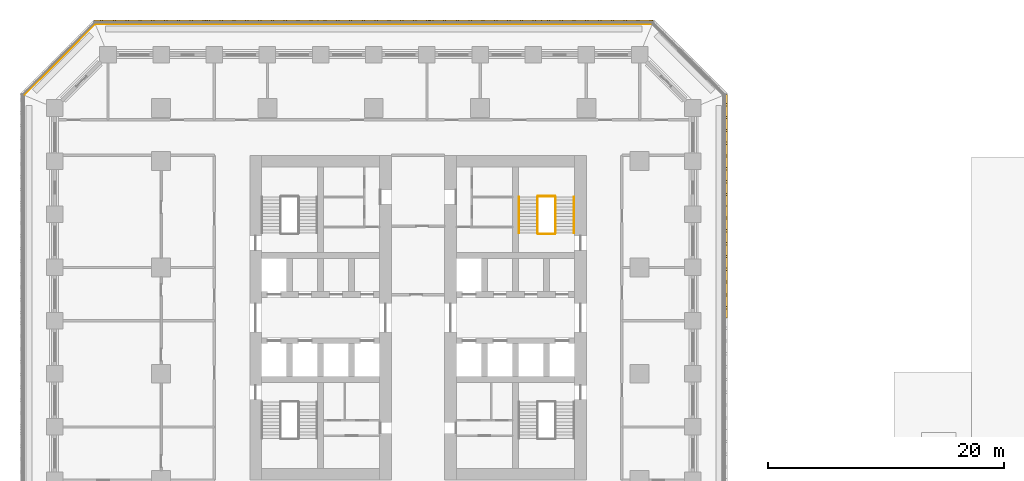
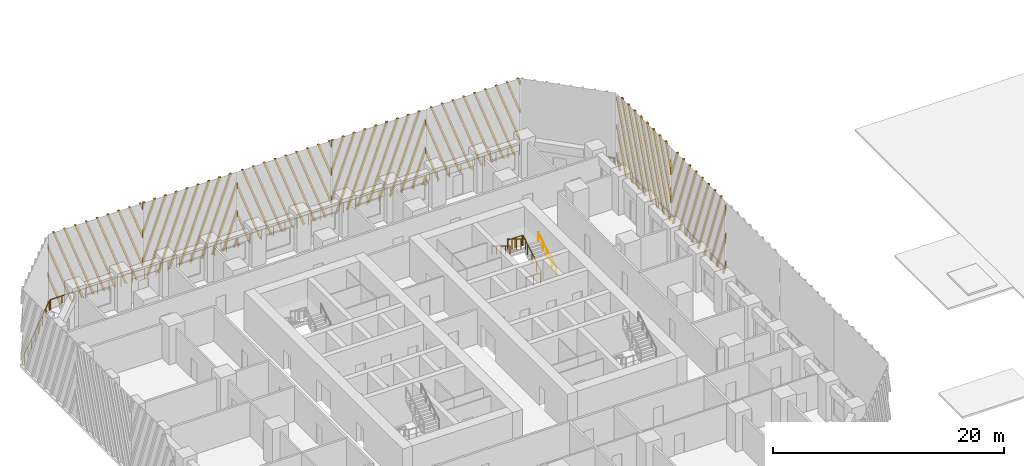
# One storey, part 13 of 15: 8 railings, 7 shading devices.
"""IFC4 building model written with IfcOpenShell, lengths in metres."""

from ifc_helpers import new_model, si_unit, direction, frame, origin, origin_2d, place, context, subcontext, project, spatial, polyline, circle, outline, extrude, source, transform, mapped, material, type_object, element, save


model = new_model("IFC4")

# Units and contexts
model_context = context("Model", 3, precision=1e-05, world=origin(), true_north=direction((0.0, 1.0)))
body_context = subcontext(model_context, "Body", "Model", "MODEL_VIEW")
ifc_project = project(units=[si_unit("LENGTHUNIT", "METRE"), si_unit("AREAUNIT", "SQUARE_METRE"), si_unit("VOLUMEUNIT", "CUBIC_METRE"), si_unit("PLANEANGLEUNIT", "RADIAN"), si_unit("MASSUNIT", "GRAM", prefix="KILO")], contexts=[model_context])

# Site, building, storey
site_placement = place(None, origin())
site = spatial("IfcSite", under=ifc_project, at=site_placement, CompositionType="ELEMENT")
building_placement = place(site_placement, origin())
building = spatial("IfcBuilding", under=site, at=building_placement, Name="Corbel Stack Research Tower", CompositionType="ELEMENT")
storey_placement = place(building_placement, frame((0.0, 0.0, 23.60009765625)))
storey = spatial("IfcBuildingStorey", under=building, at=storey_placement, Name="L05", CompositionType="ELEMENT", Elevation=23.60009765625)

# Railings
ifc_material_1 = material(Name="Steel S355", Category="steel")
railing_type_1 = type_object("IfcRailingType", Name="Stair guard 1100", PredefinedType="GUARDRAIL", material=ifc_material_1)
railing_1_placement = place(storey_placement, frame((15.39990234375, 11.89990234375, 0.170654296875)))
element("IfcRailing", 1, at=railing_1_placement, inside=storey, type_object=railing_type_1, Name="L05 ST-E2 stair guard 1", PredefinedType="GUARDRAIL", context=body_context, shape_type="SweptSolid", body=[
    extrude(circle(Radius=0.02392578125, at=origin_2d()), frame((0.0, 0.0, 1.076171875), z_axis=(0.0, 0.853666305674, 0.52082035152), x_axis=(-1.0, 0.0, 0.0)), (0.0, 0.0, 1.0), 3.608154296875),
    extrude(circle(Radius=0.02099609375, at=origin_2d()), origin(), (0.0, 0.0, 1.0), 1.052001953125),
    extrude(circle(Radius=0.02099609375, at=origin_2d()), frame((0.0, 0.77001953125, 0.4697265625)), (0.0, 0.0, 1.0), 1.052001953125),
    extrude(circle(Radius=0.02099609375, at=origin_2d()), frame((0.0, 1.5400390625, 0.939453125)), (0.0, 0.0, 1.0), 1.052001953125),
    extrude(circle(Radius=0.02099609375, at=origin_2d()), frame((0.0, 2.31005859375, 1.409423828125)), (0.0, 0.0, 1.0), 1.052001953125),
    extrude(circle(Radius=0.02099609375, at=origin_2d()), frame((0.0, 3.080078125, 1.879150390625)), (0.0, 0.0, 1.0), 1.052001953125),
])
railing_2_placement = place(storey_placement, frame((15.35009765625, 15.030029296875, 2.0498046875)))
element("IfcRailing", 2, at=railing_2_placement, inside=storey, type_object=railing_type_1, Name="L05 ST-E2 stair guard 2", PredefinedType="GUARDRAIL", context=body_context, shape_type="SweptSolid", body=[
    extrude(circle(Radius=0.02392578125, at=origin_2d()), frame((0.0, 0.0, 1.076171875), z_axis=(-1.0, 0.0, 0.0), x_axis=(0.0, -1.0, 0.0)), (0.0, 0.0, 1.0), 1.4501953125),
    extrude(circle(Radius=0.02099609375, at=origin_2d()), origin(), (0.0, 0.0, 1.0), 1.052001953125),
    extrude(circle(Radius=0.02099609375, at=origin_2d()), frame((-0.72509765625, 0.0, 0.0)), (0.0, 0.0, 1.0), 1.052001953125),
    extrude(circle(Radius=0.02099609375, at=origin_2d()), frame((-1.4501953125, 0.0, 0.0)), (0.0, 0.0, 1.0), 1.052001953125),
])
railing_3_placement = place(storey_placement, frame((13.85009765625, 14.97998046875, 2.220703125)))
element("IfcRailing", 3, at=railing_3_placement, inside=storey, type_object=railing_type_1, Name="L05 ST-E2 stair guard 3", PredefinedType="GUARDRAIL", context=body_context, shape_type="SweptSolid", body=[
    extrude(circle(Radius=0.02392578125, at=origin_2d()), frame((0.0, 0.0, 1.076171875), z_axis=(0.0, -0.853666305674, 0.52082035152), x_axis=(1.0, 0.0, 0.0)), (0.0, 0.0, 1.0), 3.608154296875),
    extrude(circle(Radius=0.02099609375, at=origin_2d()), origin(), (0.0, 0.0, 1.0), 1.052001953125),
    extrude(circle(Radius=0.02099609375, at=origin_2d()), frame((0.0, -0.77001953125, 0.4697265625)), (0.0, 0.0, 1.0), 1.052001953125),
    extrude(circle(Radius=0.02099609375, at=origin_2d()), frame((0.0, -1.5400390625, 0.939453125)), (0.0, 0.0, 1.0), 1.052001953125),
    extrude(circle(Radius=0.02099609375, at=origin_2d()), frame((0.0, -2.31005859375, 1.409423828125)), (0.0, 0.0, 1.0), 1.052001953125),
    extrude(circle(Radius=0.02099609375, at=origin_2d()), frame((0.0, -3.080078125, 1.879150390625)), (0.0, 0.0, 1.0), 1.052001953125),
])
railing_4_placement = place(storey_placement, frame((15.35009765625, 11.85009765625, 0.0)))
element("IfcRailing", 4, at=railing_4_placement, inside=storey, type_object=railing_type_1, Name="L05 ST-E2 stair guard 4", PredefinedType="GUARDRAIL", context=body_context, shape_type="SweptSolid", body=[
    extrude(circle(Radius=0.02392578125, at=origin_2d()), frame((0.0, 0.0, 1.076171875), z_axis=(-1.0, 0.0, 0.0), x_axis=(0.0, -1.0, 0.0)), (0.0, 0.0, 1.0), 1.4501953125),
    extrude(circle(Radius=0.02099609375, at=origin_2d()), origin(), (0.0, 0.0, 1.0), 1.052001953125),
    extrude(circle(Radius=0.02099609375, at=origin_2d()), frame((-0.72509765625, 0.0, 0.0)), (0.0, 0.0, 1.0), 1.052001953125),
    extrude(circle(Radius=0.02099609375, at=origin_2d()), frame((-1.4501953125, 0.0, 0.0)), (0.0, 0.0, 1.0), 1.052001953125),
])
ifc_material_2 = material(Name="Steel S355", Category="steel")
railing_type_2 = type_object("IfcRailingType", Name="Stair handrail 900", PredefinedType="HANDRAIL", material=ifc_material_2)
railing_5_placement = place(storey_placement, frame((16.949951171875, 11.89990234375, 0.170654296875)))
element("IfcRailing", 5, at=railing_5_placement, inside=storey, type_object=railing_type_2, Name="L05 ST-E2 stair handrail 1", PredefinedType="HANDRAIL", context=body_context, shape_type="SweptSolid", body=[
    extrude(circle(Radius=0.02392578125, at=origin_2d()), frame((0.0, 0.0, 0.8759765625), z_axis=(0.0, 0.853666305674, 0.52082035152), x_axis=(-1.0, 0.0, 0.0)), (0.0, 0.0, 1.0), 3.608154296875),
    extrude(circle(Radius=0.02099609375, at=origin_2d()), origin(), (0.0, 0.0, 1.0), 0.851806640625),
    extrude(circle(Radius=0.02099609375, at=origin_2d()), frame((0.0, 0.77001953125, 0.4697265625)), (0.0, 0.0, 1.0), 0.851806640625),
    extrude(circle(Radius=0.02099609375, at=origin_2d()), frame((0.0, 1.5400390625, 0.939453125)), (0.0, 0.0, 1.0), 0.851806640625),
    extrude(circle(Radius=0.02099609375, at=origin_2d()), frame((0.0, 2.31005859375, 1.409423828125)), (0.0, 0.0, 1.0), 0.851806640625),
    extrude(circle(Radius=0.02099609375, at=origin_2d()), frame((0.0, 3.080078125, 1.879150390625)), (0.0, 0.0, 1.0), 0.851806640625),
])
railing_6_placement = place(storey_placement, frame((12.300048828125, 14.97998046875, 2.220703125)))
element("IfcRailing", 6, at=railing_6_placement, inside=storey, type_object=railing_type_2, Name="L05 ST-E2 stair handrail 2", PredefinedType="HANDRAIL", context=body_context, shape_type="SweptSolid", body=[
    extrude(circle(Radius=0.02392578125, at=origin_2d()), frame((0.0, 0.0, 0.8759765625), z_axis=(0.0, -0.853666305674, 0.52082035152), x_axis=(1.0, 0.0, 0.0)), (0.0, 0.0, 1.0), 3.608154296875),
    extrude(circle(Radius=0.02099609375, at=origin_2d()), origin(), (0.0, 0.0, 1.0), 0.851806640625),
    extrude(circle(Radius=0.02099609375, at=origin_2d()), frame((0.0, -0.77001953125, 0.4697265625)), (0.0, 0.0, 1.0), 0.851806640625),
    extrude(circle(Radius=0.02099609375, at=origin_2d()), frame((0.0, -1.5400390625, 0.939453125)), (0.0, 0.0, 1.0), 0.851806640625),
    extrude(circle(Radius=0.02099609375, at=origin_2d()), frame((0.0, -2.31005859375, 1.409423828125)), (0.0, 0.0, 1.0), 0.851806640625),
    extrude(circle(Radius=0.02099609375, at=origin_2d()), frame((0.0, -3.080078125, 1.879150390625)), (0.0, 0.0, 1.0), 0.851806640625),
])
ifc_material_3 = material(Name="Powder-coated steel guard", Category="steel")
railing_type_3 = type_object("IfcRailingType", Name="Steel and glass guard 1100", PredefinedType="GUARDRAIL", material=ifc_material_3)
railing_7_placement = place(storey_placement, frame((23.50537109375, 29.60009765625, 0.0)))
element("IfcRailing", 7, at=railing_7_placement, inside=storey, type_object=railing_type_3, Name="Loggia guard L05 N", PredefinedType="GUARDRAIL", context=body_context, shape_type="SweptSolid", body=[
    extrude(circle(Radius=0.02392578125, at=origin_2d()), frame((0.0, 0.0, 1.076171875), z_axis=(-1.0, 0.0, 0.0), x_axis=(0.0, -1.0, 0.0)), (0.0, 0.0, 1.0), 47.0107421875),
    extrude(circle(Radius=0.02099609375, at=origin_2d()), origin(), (0.0, 0.0, 1.0), 1.052001953125),
    extrude(circle(Radius=0.02099609375, at=origin_2d()), frame((-1.17529296875, 0.0, 0.0)), (0.0, 0.0, 1.0), 1.052001953125),
    extrude(circle(Radius=0.02099609375, at=origin_2d()), frame((-2.3505859375, 0.0, 0.0)), (0.0, 0.0, 1.0), 1.052001953125),
    extrude(circle(Radius=0.02099609375, at=origin_2d()), frame((-3.52587890625, 0.0, 0.0)), (0.0, 0.0, 1.0), 1.052001953125),
    extrude(circle(Radius=0.02099609375, at=origin_2d()), frame((-4.701171875, 0.0, 0.0)), (0.0, 0.0, 1.0), 1.052001953125),
    extrude(circle(Radius=0.02099609375, at=origin_2d()), frame((-5.87646484375, 0.0, 0.0)), (0.0, 0.0, 1.0), 1.052001953125),
    extrude(circle(Radius=0.02099609375, at=origin_2d()), frame((-7.051513671875, 0.0, 0.0)), (0.0, 0.0, 1.0), 1.052001953125),
    extrude(circle(Radius=0.02099609375, at=origin_2d()), frame((-8.226806640625, 0.0, 0.0)), (0.0, 0.0, 1.0), 1.052001953125),
    extrude(circle(Radius=0.02099609375, at=origin_2d()), frame((-9.402099609375, 0.0, 0.0)), (0.0, 0.0, 1.0), 1.052001953125),
    extrude(circle(Radius=0.02099609375, at=origin_2d()), frame((-10.577392578125, 0.0, 0.0)), (0.0, 0.0, 1.0), 1.052001953125),
    extrude(circle(Radius=0.02099609375, at=origin_2d()), frame((-11.752685546875, 0.0, 0.0)), (0.0, 0.0, 1.0), 1.052001953125),
    extrude(circle(Radius=0.02099609375, at=origin_2d()), frame((-12.927978515625, 0.0, 0.0)), (0.0, 0.0, 1.0), 1.052001953125),
    extrude(circle(Radius=0.02099609375, at=origin_2d()), frame((-14.103271484375, 0.0, 0.0)), (0.0, 0.0, 1.0), 1.052001953125),
    extrude(circle(Radius=0.02099609375, at=origin_2d()), frame((-15.278564453125, 0.0, 0.0)), (0.0, 0.0, 1.0), 1.052001953125),
    extrude(circle(Radius=0.02099609375, at=origin_2d()), frame((-16.453857421875, 0.0, 0.0)), (0.0, 0.0, 1.0), 1.052001953125),
    extrude(circle(Radius=0.02099609375, at=origin_2d()), frame((-17.62890625, 0.0, 0.0)), (0.0, 0.0, 1.0), 1.052001953125),
    extrude(circle(Radius=0.02099609375, at=origin_2d()), frame((-18.80419921875, 0.0, 0.0)), (0.0, 0.0, 1.0), 1.052001953125),
    extrude(circle(Radius=0.02099609375, at=origin_2d()), frame((-19.9794921875, 0.0, 0.0)), (0.0, 0.0, 1.0), 1.052001953125),
    extrude(circle(Radius=0.02099609375, at=origin_2d()), frame((-21.15478515625, 0.0, 0.0)), (0.0, 0.0, 1.0), 1.052001953125),
    extrude(circle(Radius=0.02099609375, at=origin_2d()), frame((-22.330078125, 0.0, 0.0)), (0.0, 0.0, 1.0), 1.052001953125),
    extrude(circle(Radius=0.02099609375, at=origin_2d()), frame((-23.50537109375, 0.0, 0.0)), (0.0, 0.0, 1.0), 1.052001953125),
    extrude(circle(Radius=0.02099609375, at=origin_2d()), frame((-24.6806640625, 0.0, 0.0)), (0.0, 0.0, 1.0), 1.052001953125),
    extrude(circle(Radius=0.02099609375, at=origin_2d()), frame((-25.85595703125, 0.0, 0.0)), (0.0, 0.0, 1.0), 1.052001953125),
    extrude(circle(Radius=0.02099609375, at=origin_2d()), frame((-27.03125, 0.0, 0.0)), (0.0, 0.0, 1.0), 1.052001953125),
    extrude(circle(Radius=0.02099609375, at=origin_2d()), frame((-28.20654296875, 0.0, 0.0)), (0.0, 0.0, 1.0), 1.052001953125),
    extrude(circle(Radius=0.02099609375, at=origin_2d()), frame((-29.3818359375, 0.0, 0.0)), (0.0, 0.0, 1.0), 1.052001953125),
    extrude(circle(Radius=0.02099609375, at=origin_2d()), frame((-30.556884765625, 0.0, 0.0)), (0.0, 0.0, 1.0), 1.052001953125),
    extrude(circle(Radius=0.02099609375, at=origin_2d()), frame((-31.732177734375, 0.0, 0.0)), (0.0, 0.0, 1.0), 1.052001953125),
    extrude(circle(Radius=0.02099609375, at=origin_2d()), frame((-32.907470703125, 0.0, 0.0)), (0.0, 0.0, 1.0), 1.052001953125),
    extrude(circle(Radius=0.02099609375, at=origin_2d()), frame((-34.082763671875, 0.0, 0.0)), (0.0, 0.0, 1.0), 1.052001953125),
    extrude(circle(Radius=0.02099609375, at=origin_2d()), frame((-35.258056640625, 0.0, 0.0)), (0.0, 0.0, 1.0), 1.052001953125),
    extrude(circle(Radius=0.02099609375, at=origin_2d()), frame((-36.433349609375, 0.0, 0.0)), (0.0, 0.0, 1.0), 1.052001953125),
    extrude(circle(Radius=0.02099609375, at=origin_2d()), frame((-37.608642578125, 0.0, 0.0)), (0.0, 0.0, 1.0), 1.052001953125),
    extrude(circle(Radius=0.02099609375, at=origin_2d()), frame((-38.783935546875, 0.0, 0.0)), (0.0, 0.0, 1.0), 1.052001953125),
    extrude(circle(Radius=0.02099609375, at=origin_2d()), frame((-39.959228515625, 0.0, 0.0)), (0.0, 0.0, 1.0), 1.052001953125),
    extrude(circle(Radius=0.02099609375, at=origin_2d()), frame((-41.13427734375, 0.0, 0.0)), (0.0, 0.0, 1.0), 1.052001953125),
    extrude(circle(Radius=0.02099609375, at=origin_2d()), frame((-42.3095703125, 0.0, 0.0)), (0.0, 0.0, 1.0), 1.052001953125),
    extrude(circle(Radius=0.02099609375, at=origin_2d()), frame((-43.48486328125, 0.0, 0.0)), (0.0, 0.0, 1.0), 1.052001953125),
    extrude(circle(Radius=0.02099609375, at=origin_2d()), frame((-44.66015625, 0.0, 0.0)), (0.0, 0.0, 1.0), 1.052001953125),
    extrude(circle(Radius=0.02099609375, at=origin_2d()), frame((-45.83544921875, 0.0, 0.0)), (0.0, 0.0, 1.0), 1.052001953125),
    extrude(circle(Radius=0.02099609375, at=origin_2d()), frame((-47.0107421875, 0.0, 0.0)), (0.0, 0.0, 1.0), 1.052001953125),
])
railing_8_placement = place(storey_placement, frame((-23.627685546875, 29.54931640625, 0.0)))
element("IfcRailing", 8, at=railing_8_placement, inside=storey, type_object=railing_type_3, Name="Loggia guard L05 NW", PredefinedType="GUARDRAIL", context=body_context, shape_type="SweptSolid", body=[
    extrude(circle(Radius=0.02392578125, at=origin_2d()), frame((0.0, 0.0, 1.076171875), z_axis=(-0.707106781187, -0.707106781187, 0.0), x_axis=(0.707106781187, -0.707106781187, 0.0)), (0.0, 0.0, 1.0), 8.37451171875),
    extrude(circle(Radius=0.02099609375, at=origin_2d()), origin(), (0.0, 0.0, 1.0), 1.052001953125),
    extrude(circle(Radius=0.02099609375, at=origin_2d()), frame((-0.845947265625, -0.845947265625, 0.0)), (0.0, 0.0, 1.0), 1.052001953125),
    extrude(circle(Radius=0.02099609375, at=origin_2d()), frame((-1.69189453125, -1.69189453125, 0.0)), (0.0, 0.0, 1.0), 1.052001953125),
    extrude(circle(Radius=0.02099609375, at=origin_2d()), frame((-2.537841796875, -2.537841796875, 0.0)), (0.0, 0.0, 1.0), 1.052001953125),
    extrude(circle(Radius=0.02099609375, at=origin_2d()), frame((-3.3837890625, -3.3837890625, 0.0)), (0.0, 0.0, 1.0), 1.052001953125),
    extrude(circle(Radius=0.02099609375, at=origin_2d()), frame((-4.229736328125, -4.229736328125, 0.0)), (0.0, 0.0, 1.0), 1.052001953125),
    extrude(circle(Radius=0.02099609375, at=origin_2d()), frame((-5.07568359375, -5.07568359375, 0.0)), (0.0, 0.0, 1.0), 1.052001953125),
    extrude(circle(Radius=0.02099609375, at=origin_2d()), frame((-5.921630859375, -5.921630859375, 0.0)), (0.0, 0.0, 1.0), 1.052001953125),
])

# Shading devices
ifc_material_4 = material(Name="Precast terracotta", Category="masonry")
shading_device_type = type_object("IfcShadingDeviceType", Name="Terracotta screen panel", PredefinedType="USERDEFINED", material=ifc_material_4)
shared_shape_1 = source(origin(), body_context, "Body", "SweptSolid", [
    extrude(outline(polyline([(1.09033203125, 7.949951171875), (0.900390625, 7.949951171875), (0.0, 5.476318359375), (0.0, 4.9541015625), (1.09033203125, 7.949951171875)])), frame((0.0, 0.0, 0.0), z_axis=(0.0, -1.0, 0.0), x_axis=(1.0, 0.0, 0.0)), (0.0, 0.0, 1.0), 0.179931640625),
    extrude(outline(polyline([(2.175048828125, 7.949951171875), (1.985107421875, 7.949951171875), (0.0, 2.49609375), (0.0, 1.97412109375), (2.175048828125, 7.949951171875)])), frame((0.0, 0.0, 0.0), z_axis=(0.0, -1.0, 0.0), x_axis=(1.0, 0.0, 0.0)), (0.0, 0.0, 1.0), 0.179931640625),
    extrude(outline(polyline([(0.3662109375, 0.0), (3.259765625, 7.949951171875), (3.069580078125, 7.949951171875), (0.17626953125, 0.0), (0.3662109375, 0.0)])), frame((0.0, 0.0, 0.0), z_axis=(0.0, -1.0, 0.0), x_axis=(1.0, 0.0, 0.0)), (0.0, 0.0, 1.0), 0.179931640625),
    extrude(outline(polyline([(1.45068359375, 0.0), (4.344482421875, 7.949951171875), (4.154296875, 7.949951171875), (1.2607421875, 0.0), (1.45068359375, 0.0)])), frame((0.0, 0.0, 0.0), z_axis=(0.0, -1.0, 0.0), x_axis=(1.0, 0.0, 0.0)), (0.0, 0.0, 1.0), 0.179931640625),
    extrude(outline(polyline([(2.535400390625, 0.0), (5.42919921875, 7.949951171875), (5.239013671875, 7.949951171875), (2.345458984375, 0.0), (2.535400390625, 0.0)])), frame((0.0, 0.0, 0.0), z_axis=(0.0, -1.0, 0.0), x_axis=(1.0, 0.0, 0.0)), (0.0, 0.0, 1.0), 0.179931640625),
    extrude(outline(polyline([(3.6201171875, 0.0), (6.513671875, 7.949951171875), (6.32373046875, 7.949951171875), (3.43017578125, 0.0), (3.6201171875, 0.0)])), frame((0.0, 0.0, 0.0), z_axis=(0.0, -1.0, 0.0), x_axis=(1.0, 0.0, 0.0)), (0.0, 0.0, 1.0), 0.179931640625),
    extrude(outline(polyline([(4.704833984375, 0.0), (7.598388671875, 7.949951171875), (7.408447265625, 7.949951171875), (4.514892578125, 0.0), (4.704833984375, 0.0)])), frame((0.0, 0.0, 0.0), z_axis=(0.0, -1.0, 0.0), x_axis=(1.0, 0.0, 0.0)), (0.0, 0.0, 1.0), 0.179931640625),
    extrude(outline(polyline([(5.78955078125, 0.0), (8.68310546875, 7.949951171875), (8.4931640625, 7.949951171875), (5.599609375, 0.0), (5.78955078125, 0.0)])), frame((0.0, 0.0, 0.0), z_axis=(0.0, -1.0, 0.0), x_axis=(1.0, 0.0, 0.0)), (0.0, 0.0, 1.0), 0.179931640625),
    extrude(outline(polyline([(6.874267578125, 0.0), (9.45556640625, 7.092529296875), (9.45556640625, 7.614501953125), (6.68408203125, 0.0), (6.874267578125, 0.0)])), frame((0.0, 0.0, 0.0), z_axis=(0.0, -1.0, 0.0), x_axis=(1.0, 0.0, 0.0)), (0.0, 0.0, 1.0), 0.179931640625),
    extrude(outline(polyline([(7.958740234375, 0.0), (9.45556640625, 4.1123046875), (9.45556640625, 4.634521484375), (7.768798828125, 0.0), (7.958740234375, 0.0)])), frame((0.0, 0.0, 0.0), z_axis=(0.0, -1.0, 0.0), x_axis=(1.0, 0.0, 0.0)), (0.0, 0.0, 1.0), 0.179931640625),
    extrude(outline(polyline([(9.04345703125, 0.0), (9.45556640625, 1.13232421875), (9.45556640625, 1.654296875), (8.853515625, 0.0), (9.04345703125, 0.0)])), frame((0.0, 0.0, 0.0), z_axis=(0.0, -1.0, 0.0), x_axis=(1.0, 0.0, 0.0)), (0.0, 0.0, 1.0), 0.179931640625),
])
shading_device_1_placement = place(storey_placement, frame((29.75, 14.18359375, 0.0), z_axis=(0.0, 0.0, 1.0), x_axis=(0.0, 1.0, 0.0)))
element("IfcShadingDevice", 9, at=shading_device_1_placement, inside=storey, type_object=shading_device_type, Name="Terracotta screen L05 E5", ObjectType="SCREEN", PredefinedType="USERDEFINED", context=body_context, shape_type="MappedRepresentation", body=[
    mapped(shared_shape_1, transform((0.0, 0.0, 0.0))),
])
shared_shape_2 = source(origin(), body_context, "Body", "SweptSolid", [
    extrude(outline(polyline([(0.60205078125, 0.0), (0.0, 1.654296875), (0.0, 1.13232421875), (0.412109375, 0.0), (0.60205078125, 0.0)])), frame((0.0, 0.0, 0.0), z_axis=(0.0, -1.0, 0.0), x_axis=(1.0, 0.0, 0.0)), (0.0, 0.0, 1.0), 0.179931640625),
    extrude(outline(polyline([(1.686767578125, 0.0), (0.0, 4.634521484375), (0.0, 4.1123046875), (1.496826171875, 0.0), (1.686767578125, 0.0)])), frame((0.0, 0.0, 0.0), z_axis=(0.0, -1.0, 0.0), x_axis=(1.0, 0.0, 0.0)), (0.0, 0.0, 1.0), 0.179931640625),
    extrude(outline(polyline([(2.771484375, 0.0), (0.0, 7.614501953125), (0.0, 7.092529296875), (2.58154296875, 0.0), (2.771484375, 0.0)])), frame((0.0, 0.0, 0.0), z_axis=(0.0, -1.0, 0.0), x_axis=(1.0, 0.0, 0.0)), (0.0, 0.0, 1.0), 0.179931640625),
    extrude(outline(polyline([(3.856201171875, 0.0), (0.962646484375, 7.949951171875), (0.772705078125, 7.949951171875), (3.666015625, 0.0), (3.856201171875, 0.0)])), frame((0.0, 0.0, 0.0), z_axis=(0.0, -1.0, 0.0), x_axis=(1.0, 0.0, 0.0)), (0.0, 0.0, 1.0), 0.179931640625),
    extrude(outline(polyline([(4.94091796875, 0.0), (2.047119140625, 7.949951171875), (1.857177734375, 7.949951171875), (4.750732421875, 0.0), (4.94091796875, 0.0)])), frame((0.0, 0.0, 0.0), z_axis=(0.0, -1.0, 0.0), x_axis=(1.0, 0.0, 0.0)), (0.0, 0.0, 1.0), 0.179931640625),
    extrude(outline(polyline([(6.025390625, 0.0), (3.1318359375, 7.949951171875), (2.94189453125, 7.949951171875), (5.83544921875, 0.0), (6.025390625, 0.0)])), frame((0.0, 0.0, 0.0), z_axis=(0.0, -1.0, 0.0), x_axis=(1.0, 0.0, 0.0)), (0.0, 0.0, 1.0), 0.179931640625),
    extrude(outline(polyline([(7.110107421875, 0.0), (4.216552734375, 7.949951171875), (4.026611328125, 7.949951171875), (6.920166015625, 0.0), (7.110107421875, 0.0)])), frame((0.0, 0.0, 0.0), z_axis=(0.0, -1.0, 0.0), x_axis=(1.0, 0.0, 0.0)), (0.0, 0.0, 1.0), 0.179931640625),
    extrude(outline(polyline([(8.19482421875, 0.0), (5.30126953125, 7.949951171875), (5.111083984375, 7.949951171875), (8.0048828125, 0.0), (8.19482421875, 0.0)])), frame((0.0, 0.0, 0.0), z_axis=(0.0, -1.0, 0.0), x_axis=(1.0, 0.0, 0.0)), (0.0, 0.0, 1.0), 0.179931640625),
    extrude(outline(polyline([(9.279541015625, 0.0), (6.385986328125, 7.949951171875), (6.19580078125, 7.949951171875), (9.089599609375, 0.0), (9.279541015625, 0.0)])), frame((0.0, 0.0, 0.0), z_axis=(0.0, -1.0, 0.0), x_axis=(1.0, 0.0, 0.0)), (0.0, 0.0, 1.0), 0.179931640625),
    extrude(outline(polyline([(7.470703125, 7.949951171875), (7.280517578125, 7.949951171875), (9.45556640625, 1.97412109375), (9.45556640625, 2.49609375), (7.470703125, 7.949951171875)])), frame((0.0, 0.0, 0.0), z_axis=(0.0, -1.0, 0.0), x_axis=(1.0, 0.0, 0.0)), (0.0, 0.0, 1.0), 0.179931640625),
    extrude(outline(polyline([(8.55517578125, 7.949951171875), (8.365234375, 7.949951171875), (9.45556640625, 4.9541015625), (9.45556640625, 5.476318359375), (8.55517578125, 7.949951171875)])), frame((0.0, 0.0, 0.0), z_axis=(0.0, -1.0, 0.0), x_axis=(1.0, 0.0, 0.0)), (0.0, 0.0, 1.0), 0.179931640625),
])
shading_device_2_placement = place(storey_placement, frame((29.75, 4.727783203125, 0.0), z_axis=(0.0, 0.0, 1.0), x_axis=(0.0, 1.0, 0.0)))
element("IfcShadingDevice", 10, at=shading_device_2_placement, inside=storey, type_object=shading_device_type, Name="Terracotta screen L05 E4", ObjectType="SCREEN", PredefinedType="USERDEFINED", context=body_context, shape_type="MappedRepresentation", body=[
    mapped(shared_shape_2, transform((0.0, 0.0, 0.0))),
])
shared_shape_3 = source(origin(), body_context, "Body", "SweptSolid", [
    extrude(outline(polyline([(0.27685546875, 7.949951171875), (0.0869140625, 7.949951171875), (0.0, 7.711181640625), (0.0, 7.189208984375), (0.27685546875, 7.949951171875)])), frame((0.0, 0.0, 0.0), z_axis=(0.0, -1.0, 0.0), x_axis=(1.0, 0.0, 0.0)), (0.0, 0.0, 1.0), 0.179931640625),
    extrude(outline(polyline([(1.361572265625, 7.949951171875), (1.171630859375, 7.949951171875), (0.0, 4.731201171875), (0.0, 4.208984375), (1.361572265625, 7.949951171875)])), frame((0.0, 0.0, 0.0), z_axis=(0.0, -1.0, 0.0), x_axis=(1.0, 0.0, 0.0)), (0.0, 0.0, 1.0), 0.179931640625),
    extrude(outline(polyline([(2.4462890625, 7.949951171875), (2.256103515625, 7.949951171875), (0.0, 1.751220703125), (0.0, 1.22900390625), (2.4462890625, 7.949951171875)])), frame((0.0, 0.0, 0.0), z_axis=(0.0, -1.0, 0.0), x_axis=(1.0, 0.0, 0.0)), (0.0, 0.0, 1.0), 0.179931640625),
    extrude(outline(polyline([(0.63720703125, 0.0), (3.531005859375, 7.949951171875), (3.3408203125, 7.949951171875), (0.447265625, 0.0), (0.63720703125, 0.0)])), frame((0.0, 0.0, 0.0), z_axis=(0.0, -1.0, 0.0), x_axis=(1.0, 0.0, 0.0)), (0.0, 0.0, 1.0), 0.179931640625),
    extrude(outline(polyline([(1.721923828125, 0.0), (4.615478515625, 7.949951171875), (4.425537109375, 7.949951171875), (1.531982421875, 0.0), (1.721923828125, 0.0)])), frame((0.0, 0.0, 0.0), z_axis=(0.0, -1.0, 0.0), x_axis=(1.0, 0.0, 0.0)), (0.0, 0.0, 1.0), 0.179931640625),
    extrude(outline(polyline([(2.806640625, 0.0), (5.7001953125, 7.949951171875), (5.51025390625, 7.949951171875), (2.61669921875, 0.0), (2.806640625, 0.0)])), frame((0.0, 0.0, 0.0), z_axis=(0.0, -1.0, 0.0), x_axis=(1.0, 0.0, 0.0)), (0.0, 0.0, 1.0), 0.179931640625),
    extrude(outline(polyline([(3.891357421875, 0.0), (6.784912109375, 7.949951171875), (6.594970703125, 7.949951171875), (3.701416015625, 0.0), (3.891357421875, 0.0)])), frame((0.0, 0.0, 0.0), z_axis=(0.0, -1.0, 0.0), x_axis=(1.0, 0.0, 0.0)), (0.0, 0.0, 1.0), 0.179931640625),
    extrude(outline(polyline([(4.97607421875, 0.0), (7.86962890625, 7.949951171875), (7.6796875, 7.949951171875), (4.785888671875, 0.0), (4.97607421875, 0.0)])), frame((0.0, 0.0, 0.0), z_axis=(0.0, -1.0, 0.0), x_axis=(1.0, 0.0, 0.0)), (0.0, 0.0, 1.0), 0.179931640625),
    extrude(outline(polyline([(6.060791015625, 0.0), (8.9541015625, 7.949951171875), (8.76416015625, 7.949951171875), (5.87060546875, 0.0), (6.060791015625, 0.0)])), frame((0.0, 0.0, 0.0), z_axis=(0.0, -1.0, 0.0), x_axis=(1.0, 0.0, 0.0)), (0.0, 0.0, 1.0), 0.179931640625),
    extrude(outline(polyline([(7.145263671875, 0.0), (9.45556640625, 6.347412109375), (9.45556640625, 6.869384765625), (6.955322265625, 0.0), (7.145263671875, 0.0)])), frame((0.0, 0.0, 0.0), z_axis=(0.0, -1.0, 0.0), x_axis=(1.0, 0.0, 0.0)), (0.0, 0.0, 1.0), 0.179931640625),
    extrude(outline(polyline([(8.22998046875, 0.0), (9.45556640625, 3.367431640625), (9.45556640625, 3.889404296875), (8.0400390625, 0.0), (8.22998046875, 0.0)])), frame((0.0, 0.0, 0.0), z_axis=(0.0, -1.0, 0.0), x_axis=(1.0, 0.0, 0.0)), (0.0, 0.0, 1.0), 0.179931640625),
    extrude(outline(polyline([(9.314697265625, 0.0), (9.45556640625, 0.38720703125), (9.45556640625, 0.9091796875), (9.124755859375, 0.0), (9.314697265625, 0.0)])), frame((0.0, 0.0, 0.0), z_axis=(0.0, -1.0, 0.0), x_axis=(1.0, 0.0, 0.0)), (0.0, 0.0, 1.0), 0.179931640625),
])
for number, where, z_axis, x_axis, name in (
    (11, (23.63916015625, 29.75, 0.0), (0.0, 0.0, 1.0), (-1.0, 0.0, 0.0), "Terracotta screen L05 N1"),
    (12, (4.727783203125, 29.75, 0.0), (0.0, 0.0, 1.0), (-1.0, 0.0, 0.0), "Terracotta screen L05 N3"),
    (13, (-14.18359375, 29.75, 0.0), (0.0, 0.0, 1.0), (-1.0, 0.0, 0.0), "Terracotta screen L05 N5"),
):
    element("IfcShadingDevice", number, at=place(storey_placement, frame(where, z_axis=z_axis, x_axis=x_axis)), inside=storey, type_object=shading_device_type, Name=name, ObjectType="SCREEN", PredefinedType="USERDEFINED", context=body_context, shape_type="MappedRepresentation", body=[
        mapped(shared_shape_3, transform((0.0, 0.0, 0.0))),
    ])
shared_shape_4 = source(origin(), body_context, "Body", "SweptSolid", [
    extrude(outline(polyline([(0.3310546875, 0.0), (0.0, 0.9091796875), (0.0, 0.38720703125), (0.14111328125, 0.0), (0.3310546875, 0.0)])), frame((0.0, 0.0, 0.0), z_axis=(0.0, -1.0, 0.0), x_axis=(1.0, 0.0, 0.0)), (0.0, 0.0, 1.0), 0.179931640625),
    extrude(outline(polyline([(1.41552734375, 0.0), (0.0, 3.889404296875), (0.0, 3.367431640625), (1.2255859375, 0.0), (1.41552734375, 0.0)])), frame((0.0, 0.0, 0.0), z_axis=(0.0, -1.0, 0.0), x_axis=(1.0, 0.0, 0.0)), (0.0, 0.0, 1.0), 0.179931640625),
    extrude(outline(polyline([(2.500244140625, 0.0), (0.0, 6.869384765625), (0.0, 6.347412109375), (2.310302734375, 0.0), (2.500244140625, 0.0)])), frame((0.0, 0.0, 0.0), z_axis=(0.0, -1.0, 0.0), x_axis=(1.0, 0.0, 0.0)), (0.0, 0.0, 1.0), 0.179931640625),
    extrude(outline(polyline([(3.5849609375, 0.0), (0.69140625, 7.949951171875), (0.50146484375, 7.949951171875), (3.39501953125, 0.0), (3.5849609375, 0.0)])), frame((0.0, 0.0, 0.0), z_axis=(0.0, -1.0, 0.0), x_axis=(1.0, 0.0, 0.0)), (0.0, 0.0, 1.0), 0.179931640625),
    extrude(outline(polyline([(4.669677734375, 0.0), (1.776123046875, 7.949951171875), (1.586181640625, 7.949951171875), (4.4794921875, 0.0), (4.669677734375, 0.0)])), frame((0.0, 0.0, 0.0), z_axis=(0.0, -1.0, 0.0), x_axis=(1.0, 0.0, 0.0)), (0.0, 0.0, 1.0), 0.179931640625),
    extrude(outline(polyline([(5.75439453125, 0.0), (2.860595703125, 7.949951171875), (2.670654296875, 7.949951171875), (5.564208984375, 0.0), (5.75439453125, 0.0)])), frame((0.0, 0.0, 0.0), z_axis=(0.0, -1.0, 0.0), x_axis=(1.0, 0.0, 0.0)), (0.0, 0.0, 1.0), 0.179931640625),
    extrude(outline(polyline([(6.839111328125, 0.0), (3.9453125, 7.949951171875), (3.75537109375, 7.949951171875), (6.64892578125, 0.0), (6.839111328125, 0.0)])), frame((0.0, 0.0, 0.0), z_axis=(0.0, -1.0, 0.0), x_axis=(1.0, 0.0, 0.0)), (0.0, 0.0, 1.0), 0.179931640625),
    extrude(outline(polyline([(7.923583984375, 0.0), (5.030029296875, 7.949951171875), (4.840087890625, 7.949951171875), (7.733642578125, 0.0), (7.923583984375, 0.0)])), frame((0.0, 0.0, 0.0), z_axis=(0.0, -1.0, 0.0), x_axis=(1.0, 0.0, 0.0)), (0.0, 0.0, 1.0), 0.179931640625),
    extrude(outline(polyline([(9.00830078125, 0.0), (6.11474609375, 7.949951171875), (5.9248046875, 7.949951171875), (8.818359375, 0.0), (9.00830078125, 0.0)])), frame((0.0, 0.0, 0.0), z_axis=(0.0, -1.0, 0.0), x_axis=(1.0, 0.0, 0.0)), (0.0, 0.0, 1.0), 0.179931640625),
    extrude(outline(polyline([(7.199462890625, 7.949951171875), (7.009521484375, 7.949951171875), (9.45556640625, 1.22900390625), (9.45556640625, 1.751220703125), (7.199462890625, 7.949951171875)])), frame((0.0, 0.0, 0.0), z_axis=(0.0, -1.0, 0.0), x_axis=(1.0, 0.0, 0.0)), (0.0, 0.0, 1.0), 0.179931640625),
    extrude(outline(polyline([(8.2841796875, 7.949951171875), (8.093994140625, 7.949951171875), (9.45556640625, 4.208984375), (9.45556640625, 4.731201171875), (8.2841796875, 7.949951171875)])), frame((0.0, 0.0, 0.0), z_axis=(0.0, -1.0, 0.0), x_axis=(1.0, 0.0, 0.0)), (0.0, 0.0, 1.0), 0.179931640625),
    extrude(outline(polyline([(9.36865234375, 7.949951171875), (9.1787109375, 7.949951171875), (9.45556640625, 7.189208984375), (9.45556640625, 7.711181640625), (9.36865234375, 7.949951171875)])), frame((0.0, 0.0, 0.0), z_axis=(0.0, -1.0, 0.0), x_axis=(1.0, 0.0, 0.0)), (0.0, 0.0, 1.0), 0.179931640625),
])
for number, where, z_axis, x_axis, name in (
    (14, (14.18359375, 29.75, 0.0), (0.0, 0.0, 1.0), (-1.0, 0.0, 0.0), "Terracotta screen L05 N2"),
    (15, (-4.727783203125, 29.75, 0.0), (0.0, 0.0, 1.0), (-1.0, 0.0, 0.0), "Terracotta screen L05 N4"),
):
    element("IfcShadingDevice", number, at=place(storey_placement, frame(where, z_axis=z_axis, x_axis=x_axis)), inside=storey, type_object=shading_device_type, Name=name, ObjectType="SCREEN", PredefinedType="USERDEFINED", context=body_context, shape_type="MappedRepresentation", body=[
        mapped(shared_shape_4, transform((0.0, 0.0, 0.0))),
    ])

save(model, "model.ifc")
